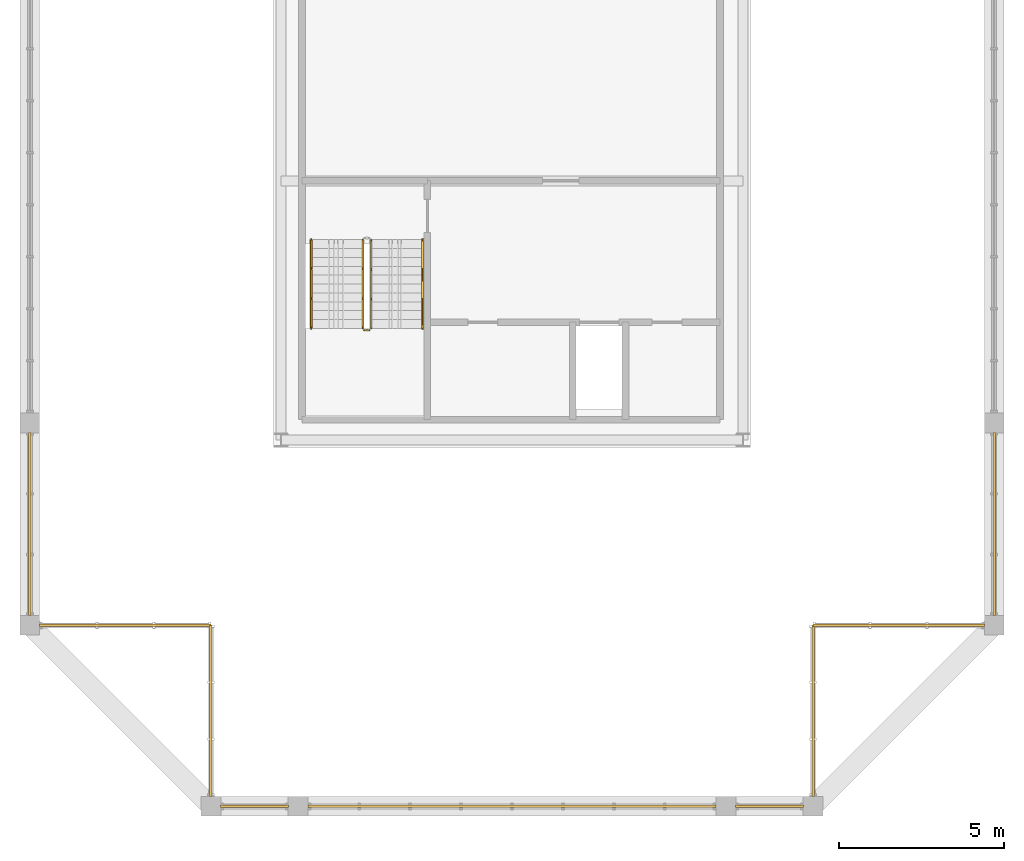
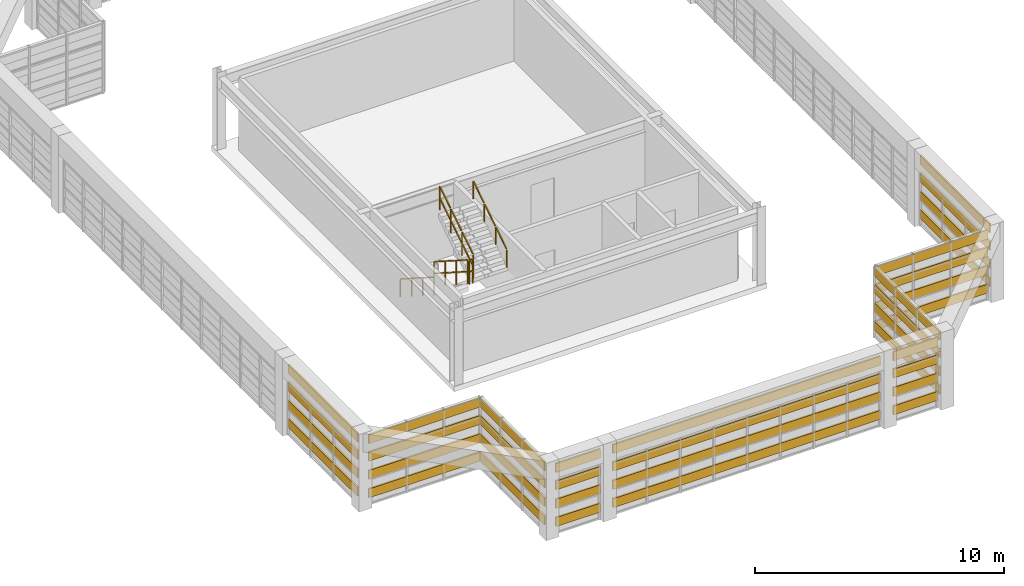
# One storey, part 25 of 27: 36 shading devices, 5 railings.
"""IFC4 building model written with IfcOpenShell, lengths in metres."""

from ifc_helpers import new_model, si_unit, direction, frame, origin, origin_2d, place, context, subcontext, project, spatial, rectangle, extrude, source, transform, mapped, material, material_profile, profile_set, type_object, element, save


model = new_model("IFC4")

# Units and contexts
model_context = context("Model", 3, precision=1e-05, world=origin(), true_north=direction((0.0, 1.0)))
body_context = subcontext(model_context, "Body", "Model", "MODEL_VIEW")
ifc_project = project(units=[si_unit("LENGTHUNIT", "METRE"), si_unit("AREAUNIT", "SQUARE_METRE"), si_unit("VOLUMEUNIT", "CUBIC_METRE"), si_unit("PLANEANGLEUNIT", "RADIAN"), si_unit("MASSUNIT", "GRAM", prefix="KILO")], contexts=[model_context])

# Site, building, storey
site_placement = place(None, origin())
site = spatial("IfcSite", under=ifc_project, at=site_placement, CompositionType="ELEMENT")
building_placement = place(site_placement, origin())
building = spatial("IfcBuilding", under=site, at=building_placement, Name="Saelheon Loggia Tower", CompositionType="ELEMENT")
storey_placement = place(building_placement, frame((0.0, 0.0, 263.60009765625)))
storey = spatial("IfcBuildingStorey", under=building, at=storey_placement, Name="CR4", CompositionType="ELEMENT", Elevation=263.60009765625)

# Railings
ifc_material_1 = material(Name="Galvanised Steel S275 Stairwell Guardrail", Category="steel")
railing_type_1 = type_object("IfcRailingType", Name="Guard_StairWell_RL_STG", PredefinedType="GUARDRAIL", material=ifc_material_1)
railing_1_placement = place(storey_placement, frame((33.4599609375, 23.570068359375, 0.172607421875)))
element("IfcRailing", 1, at=railing_1_placement, inside=storey, type_object=railing_type_1, Name="CR4 ST5 stair guard 1", PredefinedType="GUARDRAIL", context=body_context, shape_type="SweptSolid", body=[
    extrude(rectangle(XDim=0.048095703125, YDim=0.048095703125, at=origin_2d()), frame((0.0, -0.028076171875, 1.19384765625), z_axis=(0.0, -0.842366838036, 0.538904546443), x_axis=(1.0, 0.0, 0.0)), (0.0, 0.0, 1.0), 1.001953125),
    extrude(rectangle(XDim=0.048095703125, YDim=0.048095703125, at=origin_2d()), frame((0.0, -0.028076171875, 0.617919921875), z_axis=(0.0, -0.842366838036, 0.538904546443), x_axis=(1.0, 0.0, 0.0)), (0.0, 0.0, 1.0), 1.001953125),
    extrude(rectangle(XDim=0.048095703125, YDim=0.048095703125, at=origin_2d()), frame((0.0, -0.927978515625, 1.76953125), z_axis=(0.0, -0.842366838036, 0.538904546443), x_axis=(1.0, 0.0, 0.0)), (0.0, 0.0, 1.0), 1.001953125),
    extrude(rectangle(XDim=0.048095703125, YDim=0.048095703125, at=origin_2d()), frame((0.0, -0.927978515625, 1.193603515625), z_axis=(0.0, -0.842366838036, 0.538904546443), x_axis=(1.0, 0.0, 0.0)), (0.0, 0.0, 1.0), 1.001953125),
    extrude(rectangle(XDim=0.048095703125, YDim=0.048095703125, at=origin_2d()), frame((0.0, -1.827880859375, 2.345458984375), z_axis=(0.0, -0.842366838036, 0.538904546443), x_axis=(1.0, 0.0, 0.0)), (0.0, 0.0, 1.0), 1.001953125),
    extrude(rectangle(XDim=0.048095703125, YDim=0.048095703125, at=origin_2d()), frame((0.0, -1.827880859375, 1.76953125), z_axis=(0.0, -0.842366838036, 0.538904546443), x_axis=(1.0, 0.0, 0.0)), (0.0, 0.0, 1.0), 1.001953125),
    extrude(rectangle(XDim=0.0419921875, YDim=0.0419921875, at=origin_2d()), origin(), (0.0, 0.0, 1.0), 1.14794921875),
    extrude(rectangle(XDim=0.0419921875, YDim=0.0419921875, at=origin_2d()), frame((0.0, -0.89990234375, 0.57568359375)), (0.0, 0.0, 1.0), 1.14794921875),
    extrude(rectangle(XDim=0.0419921875, YDim=0.0419921875, at=origin_2d()), frame((0.0, -1.800048828125, 1.151611328125)), (0.0, 0.0, 1.0), 1.14794921875),
    extrude(rectangle(XDim=0.0419921875, YDim=0.0419921875, at=origin_2d()), frame((0.0, -2.699951171875, 1.727294921875)), (0.0, 0.0, 1.0), 1.14794921875),
])
railing_2_placement = place(storey_placement, frame((33.510009765625, 20.820068359375, 1.89990234375)))
element("IfcRailing", 2, at=railing_2_placement, inside=storey, type_object=railing_type_1, Name="CR4 ST5 stair guard 2", PredefinedType="GUARDRAIL", context=body_context, shape_type="SweptSolid", body=[
    extrude(rectangle(XDim=0.048095703125, YDim=0.048095703125, at=origin_2d()), frame((0.033203125, 0.0, 1.17578125), z_axis=(1.0, 0.0, 0.0), x_axis=(0.0, 1.0, 0.0)), (0.0, 0.0, 1.0), 0.093505859375),
    extrude(rectangle(XDim=0.048095703125, YDim=0.048095703125, at=origin_2d()), frame((0.033203125, 0.0, 0.60009765625), z_axis=(1.0, 0.0, 0.0), x_axis=(0.0, 1.0, 0.0)), (0.0, 0.0, 1.0), 0.093505859375),
    extrude(rectangle(XDim=0.0419921875, YDim=0.0419921875, at=origin_2d()), origin(), (0.0, 0.0, 1.0), 1.14794921875),
    extrude(rectangle(XDim=0.0419921875, YDim=0.0419921875, at=origin_2d()), frame((0.159912109375, 0.0, 0.0)), (0.0, 0.0, 1.0), 1.14794921875),
])
railing_3_placement = place(storey_placement, frame((33.719970703125, 20.8701171875, 2.072509765625)))
element("IfcRailing", 3, at=railing_3_placement, inside=storey, type_object=railing_type_1, Name="CR4 ST5 stair guard 3", PredefinedType="GUARDRAIL", context=body_context, shape_type="SweptSolid", body=[
    extrude(rectangle(XDim=0.048095703125, YDim=0.048095703125, at=origin_2d()), frame((0.0, 0.028076171875, 1.19384765625), z_axis=(0.0, 0.842366838036, 0.538904546443), x_axis=(-1.0, 0.0, 0.0)), (0.0, 0.0, 1.0), 1.001953125),
    extrude(rectangle(XDim=0.048095703125, YDim=0.048095703125, at=origin_2d()), frame((0.0, 0.028076171875, 0.617919921875), z_axis=(0.0, 0.842366838036, 0.538904546443), x_axis=(-1.0, 0.0, 0.0)), (0.0, 0.0, 1.0), 1.001953125),
    extrude(rectangle(XDim=0.048095703125, YDim=0.048095703125, at=origin_2d()), frame((0.0, 0.927978515625, 1.76953125), z_axis=(0.0, 0.842366838036, 0.538904546443), x_axis=(-1.0, 0.0, 0.0)), (0.0, 0.0, 1.0), 1.001953125),
    extrude(rectangle(XDim=0.048095703125, YDim=0.048095703125, at=origin_2d()), frame((0.0, 0.927978515625, 1.193603515625), z_axis=(0.0, 0.842366838036, 0.538904546443), x_axis=(-1.0, 0.0, 0.0)), (0.0, 0.0, 1.0), 1.001953125),
    extrude(rectangle(XDim=0.048095703125, YDim=0.048095703125, at=origin_2d()), frame((0.0, 1.827880859375, 2.345458984375), z_axis=(0.0, 0.842366838036, 0.538904546443), x_axis=(-1.0, 0.0, 0.0)), (0.0, 0.0, 1.0), 1.001953125),
    extrude(rectangle(XDim=0.048095703125, YDim=0.048095703125, at=origin_2d()), frame((0.0, 1.827880859375, 1.76953125), z_axis=(0.0, 0.842366838036, 0.538904546443), x_axis=(-1.0, 0.0, 0.0)), (0.0, 0.0, 1.0), 1.001953125),
    extrude(rectangle(XDim=0.0419921875, YDim=0.0419921875, at=origin_2d()), origin(), (0.0, 0.0, 1.0), 1.14794921875),
    extrude(rectangle(XDim=0.0419921875, YDim=0.0419921875, at=origin_2d()), frame((0.0, 0.89990234375, 0.57568359375)), (0.0, 0.0, 1.0), 1.14794921875),
    extrude(rectangle(XDim=0.0419921875, YDim=0.0419921875, at=origin_2d()), frame((0.0, 1.800048828125, 1.151611328125)), (0.0, 0.0, 1.0), 1.14794921875),
    extrude(rectangle(XDim=0.0419921875, YDim=0.0419921875, at=origin_2d()), frame((0.0, 2.699951171875, 1.727294921875)), (0.0, 0.0, 1.0), 1.14794921875),
])
ifc_material_2 = material(Name="Stainless Steel 304 Tubular Handrail", Category="steel")
railing_type_2 = type_object("IfcRailingType", Name="Handrail_Stair_RL_HR1", PredefinedType="HANDRAIL", material=ifc_material_2)
railing_4_placement = place(storey_placement, frame((31.89990234375, 23.570068359375, 0.172607421875)))
element("IfcRailing", 4, at=railing_4_placement, inside=storey, type_object=railing_type_2, Name="CR4 ST5 stair handrail 1", PredefinedType="HANDRAIL", context=body_context, shape_type="SweptSolid", body=[
    extrude(rectangle(XDim=0.048095703125, YDim=0.048095703125, at=origin_2d()), frame((0.0, -0.028076171875, 0.893798828125), z_axis=(0.0, -0.842366838036, 0.538904546443), x_axis=(1.0, 0.0, 0.0)), (0.0, 0.0, 1.0), 1.001953125),
    extrude(rectangle(XDim=0.048095703125, YDim=0.048095703125, at=origin_2d()), frame((0.0, -0.927978515625, 1.469482421875), z_axis=(0.0, -0.842366838036, 0.538904546443), x_axis=(1.0, 0.0, 0.0)), (0.0, 0.0, 1.0), 1.001953125),
    extrude(rectangle(XDim=0.048095703125, YDim=0.048095703125, at=origin_2d()), frame((0.0, -1.827880859375, 2.04541015625), z_axis=(0.0, -0.842366838036, 0.538904546443), x_axis=(1.0, 0.0, 0.0)), (0.0, 0.0, 1.0), 1.001953125),
    extrude(rectangle(XDim=0.0419921875, YDim=0.0419921875, at=origin_2d()), origin(), (0.0, 0.0, 1.0), 0.847900390625),
    extrude(rectangle(XDim=0.0419921875, YDim=0.0419921875, at=origin_2d()), frame((0.0, -0.89990234375, 0.57568359375)), (0.0, 0.0, 1.0), 0.847900390625),
    extrude(rectangle(XDim=0.0419921875, YDim=0.0419921875, at=origin_2d()), frame((0.0, -1.800048828125, 1.151611328125)), (0.0, 0.0, 1.0), 0.847900390625),
    extrude(rectangle(XDim=0.0419921875, YDim=0.0419921875, at=origin_2d()), frame((0.0, -2.699951171875, 1.727294921875)), (0.0, 0.0, 1.0), 0.847900390625),
])
railing_5_placement = place(storey_placement, frame((35.280029296875, 20.8701171875, 2.072509765625)))
element("IfcRailing", 5, at=railing_5_placement, inside=storey, type_object=railing_type_2, Name="CR4 ST5 stair handrail 2", PredefinedType="HANDRAIL", context=body_context, shape_type="SweptSolid", body=[
    extrude(rectangle(XDim=0.048095703125, YDim=0.048095703125, at=origin_2d()), frame((0.0, 0.028076171875, 0.893798828125), z_axis=(0.0, 0.842366838036, 0.538904546443), x_axis=(-1.0, 0.0, 0.0)), (0.0, 0.0, 1.0), 1.001953125),
    extrude(rectangle(XDim=0.048095703125, YDim=0.048095703125, at=origin_2d()), frame((0.0, 0.927978515625, 1.469482421875), z_axis=(0.0, 0.842366838036, 0.538904546443), x_axis=(-1.0, 0.0, 0.0)), (0.0, 0.0, 1.0), 1.001953125),
    extrude(rectangle(XDim=0.048095703125, YDim=0.048095703125, at=origin_2d()), frame((0.0, 1.827880859375, 2.04541015625), z_axis=(0.0, 0.842366838036, 0.538904546443), x_axis=(-1.0, 0.0, 0.0)), (0.0, 0.0, 1.0), 1.001953125),
    extrude(rectangle(XDim=0.0419921875, YDim=0.0419921875, at=origin_2d()), origin(), (0.0, 0.0, 1.0), 0.847900390625),
    extrude(rectangle(XDim=0.0419921875, YDim=0.0419921875, at=origin_2d()), frame((0.0, 0.89990234375, 0.57568359375)), (0.0, 0.0, 1.0), 0.847900390625),
    extrude(rectangle(XDim=0.0419921875, YDim=0.0419921875, at=origin_2d()), frame((0.0, 1.800048828125, 1.151611328125)), (0.0, 0.0, 1.0), 0.847900390625),
    extrude(rectangle(XDim=0.0419921875, YDim=0.0419921875, at=origin_2d()), frame((0.0, 2.699951171875, 1.727294921875)), (0.0, 0.0, 1.0), 0.847900390625),
])

# Shading devices
ifc_material_3 = material(Name="Bronze-Anodised Aluminium 6063-T6", Category="aluminium")
ifc_material_profile = material_profile(ifc_material_3, rectangle(XDim=0.080078125, YDim=0.43994140625, at=origin_2d()), Name="Louvre_CrownBlade_250")
ifc_profile_set = profile_set([ifc_material_profile], Name="Bronze-Anodised Aluminium 6063-T6")
shading_device_type = type_object("IfcShadingDeviceType", Name="Louvre_CrownBlade_250", PredefinedType="AWNING", material=ifc_profile_set)
shared_shape_1 = source(origin(), body_context, "Body", "SweptSolid", [
    extrude(rectangle(XDim=0.080078125, YDim=0.43994140625, at=origin_2d()), origin(), (0.0, 0.0, 1.0), 2.06005859375),
])
for number, where, z_axis, x_axis, name in (
    (6, (29.14501953125, 6.35009765625, 0.5498046875), (1.0, 0.0, 0.0), (0.0, 1.0, 0.0), "CR4 Crown Screen Horizontal Blade"),
    (7, (29.14501953125, 6.35009765625, 1.449951171875), (1.0, 0.0, 0.0), (0.0, 1.0, 0.0), "CR4 Crown Screen Horizontal Blade"),
    (8, (29.14501953125, 6.35009765625, 2.349853515625), (1.0, 0.0, 0.0), (0.0, 1.0, 0.0), "CR4 Crown Screen Horizontal Blade"),
    (9, (29.14501953125, 6.35009765625, 3.199951171875), (1.0, 0.0, 0.0), (0.0, 1.0, 0.0), "CR4 Crown Screen Horizontal Blade"),
    (10, (44.794921875, 6.35009765625, 0.5498046875), (1.0, 0.0, 0.0), (0.0, 1.0, 0.0), "CR4 Crown Screen Horizontal Blade"),
    (11, (44.794921875, 6.35009765625, 1.449951171875), (1.0, 0.0, 0.0), (0.0, 1.0, 0.0), "CR4 Crown Screen Horizontal Blade"),
    (12, (44.794921875, 6.35009765625, 2.349853515625), (1.0, 0.0, 0.0), (0.0, 1.0, 0.0), "CR4 Crown Screen Horizontal Blade"),
    (13, (44.794921875, 6.35009765625, 3.199951171875), (1.0, 0.0, 0.0), (0.0, 1.0, 0.0), "CR4 Crown Screen Horizontal Blade"),
):
    element("IfcShadingDevice", number, at=place(storey_placement, frame(where, z_axis=z_axis, x_axis=x_axis)), inside=storey, type_object=shading_device_type, Name=name, PredefinedType="AWNING", context=body_context, shape_type="MappedRepresentation", body=[
        mapped(shared_shape_1, transform((0.0, 0.0, 0.0), scale=1.0)),
    ])
shared_shape_2 = source(origin(), body_context, "Body", "SweptSolid", [
    extrude(rectangle(XDim=0.080078125, YDim=0.43994140625, at=origin_2d()), origin(), (0.0, 0.0, 1.0), 12.41015625),
])
for number, where, z_axis, x_axis, name in (
    (14, (31.794921875, 6.35009765625, 0.5498046875), (1.0, 0.0, 0.0), (0.0, 1.0, 0.0), "CR4 Crown Screen Horizontal Blade"),
    (15, (31.794921875, 6.35009765625, 1.449951171875), (1.0, 0.0, 0.0), (0.0, 1.0, 0.0), "CR4 Crown Screen Horizontal Blade"),
    (16, (31.794921875, 6.35009765625, 2.349853515625), (1.0, 0.0, 0.0), (0.0, 1.0, 0.0), "CR4 Crown Screen Horizontal Blade"),
    (17, (31.794921875, 6.35009765625, 3.199951171875), (1.0, 0.0, 0.0), (0.0, 1.0, 0.0), "CR4 Crown Screen Horizontal Blade"),
):
    element("IfcShadingDevice", number, at=place(storey_placement, frame(where, z_axis=z_axis, x_axis=x_axis)), inside=storey, type_object=shading_device_type, Name=name, PredefinedType="AWNING", context=body_context, shape_type="MappedRepresentation", body=[
        mapped(shared_shape_2, transform((0.0, 0.0, 0.0), scale=1.0)),
    ])
shared_shape_3 = source(origin(), body_context, "Body", "SweptSolid", [
    extrude(rectangle(XDim=0.080078125, YDim=0.43994140625, at=origin_2d()), origin(), (0.0, 0.0, 1.0), 5.205078125),
])
for number, where, z_axis, x_axis, name in (
    (18, (47.14990234375, 6.64501953125, 0.5498046875), (0.0, 1.0, 0.0), (-1.0, 0.0, 0.0), "CR4 Crown Screen Horizontal Blade"),
    (19, (47.14990234375, 6.64501953125, 1.449951171875), (0.0, 1.0, 0.0), (-1.0, 0.0, 0.0), "CR4 Crown Screen Horizontal Blade"),
    (20, (47.14990234375, 6.64501953125, 2.349853515625), (0.0, 1.0, 0.0), (-1.0, 0.0, 0.0), "CR4 Crown Screen Horizontal Blade"),
    (21, (47.14990234375, 6.64501953125, 3.199951171875), (0.0, 1.0, 0.0), (-1.0, 0.0, 0.0), "CR4 Crown Screen Horizontal Blade"),
    (22, (47.14990234375, 11.85009765625, 0.5498046875), (1.0, 0.0, 0.0), (0.0, 1.0, 0.0), "CR4 Crown Screen Horizontal Blade"),
    (23, (47.14990234375, 11.85009765625, 1.449951171875), (1.0, 0.0, 0.0), (0.0, 1.0, 0.0), "CR4 Crown Screen Horizontal Blade"),
    (24, (47.14990234375, 11.85009765625, 2.349853515625), (1.0, 0.0, 0.0), (0.0, 1.0, 0.0), "CR4 Crown Screen Horizontal Blade"),
    (25, (47.14990234375, 11.85009765625, 3.199951171875), (1.0, 0.0, 0.0), (0.0, 1.0, 0.0), "CR4 Crown Screen Horizontal Blade"),
    (26, (23.64501953125, 11.85009765625, 0.5498046875), (1.0, 0.0, 0.0), (0.0, 1.0, 0.0), "CR4 Crown Screen Horizontal Blade"),
    (27, (23.64501953125, 11.85009765625, 1.449951171875), (1.0, 0.0, 0.0), (0.0, 1.0, 0.0), "CR4 Crown Screen Horizontal Blade"),
    (28, (23.64501953125, 11.85009765625, 2.349853515625), (1.0, 0.0, 0.0), (0.0, 1.0, 0.0), "CR4 Crown Screen Horizontal Blade"),
    (29, (23.64501953125, 11.85009765625, 3.199951171875), (1.0, 0.0, 0.0), (0.0, 1.0, 0.0), "CR4 Crown Screen Horizontal Blade"),
    (30, (28.85009765625, 11.85009765625, 0.5498046875), (0.0, -1.0, 0.0), (1.0, 0.0, 0.0), "CR4 Crown Screen Horizontal Blade"),
    (31, (28.85009765625, 11.85009765625, 1.449951171875), (0.0, -1.0, 0.0), (1.0, 0.0, 0.0), "CR4 Crown Screen Horizontal Blade"),
    (32, (28.85009765625, 11.85009765625, 2.349853515625), (0.0, -1.0, 0.0), (1.0, 0.0, 0.0), "CR4 Crown Screen Horizontal Blade"),
    (33, (28.85009765625, 11.85009765625, 3.199951171875), (0.0, -1.0, 0.0), (1.0, 0.0, 0.0), "CR4 Crown Screen Horizontal Blade"),
):
    element("IfcShadingDevice", number, at=place(storey_placement, frame(where, z_axis=z_axis, x_axis=x_axis)), inside=storey, type_object=shading_device_type, Name=name, PredefinedType="AWNING", context=body_context, shape_type="MappedRepresentation", body=[
        mapped(shared_shape_3, transform((0.0, 0.0, 0.0), scale=1.0)),
    ])
shared_shape_4 = source(origin(), body_context, "Body", "SweptSolid", [
    extrude(rectangle(XDim=0.080078125, YDim=0.43994140625, at=origin_2d()), origin(), (0.0, 0.0, 1.0), 5.56005859375),
])
for number, where, z_axis, x_axis, name in (
    (34, (52.64990234375, 12.14501953125, 0.5498046875), (0.0, 1.0, 0.0), (-1.0, 0.0, 0.0), "CR4 Crown Screen Horizontal Blade"),
    (35, (52.64990234375, 12.14501953125, 1.449951171875), (0.0, 1.0, 0.0), (-1.0, 0.0, 0.0), "CR4 Crown Screen Horizontal Blade"),
    (36, (52.64990234375, 12.14501953125, 2.349853515625), (0.0, 1.0, 0.0), (-1.0, 0.0, 0.0), "CR4 Crown Screen Horizontal Blade"),
    (37, (52.64990234375, 12.14501953125, 3.199951171875), (0.0, 1.0, 0.0), (-1.0, 0.0, 0.0), "CR4 Crown Screen Horizontal Blade"),
    (38, (23.35009765625, 17.705078125, 0.5498046875), (0.0, -1.0, 0.0), (1.0, 0.0, 0.0), "CR4 Crown Screen Horizontal Blade"),
    (39, (23.35009765625, 17.705078125, 1.449951171875), (0.0, -1.0, 0.0), (1.0, 0.0, 0.0), "CR4 Crown Screen Horizontal Blade"),
    (40, (23.35009765625, 17.705078125, 2.349853515625), (0.0, -1.0, 0.0), (1.0, 0.0, 0.0), "CR4 Crown Screen Horizontal Blade"),
    (41, (23.35009765625, 17.705078125, 3.199951171875), (0.0, -1.0, 0.0), (1.0, 0.0, 0.0), "CR4 Crown Screen Horizontal Blade"),
):
    element("IfcShadingDevice", number, at=place(storey_placement, frame(where, z_axis=z_axis, x_axis=x_axis)), inside=storey, type_object=shading_device_type, Name=name, PredefinedType="AWNING", context=body_context, shape_type="MappedRepresentation", body=[
        mapped(shared_shape_4, transform((0.0, 0.0, 0.0), scale=1.0)),
    ])

save(model, "model.ifc")
